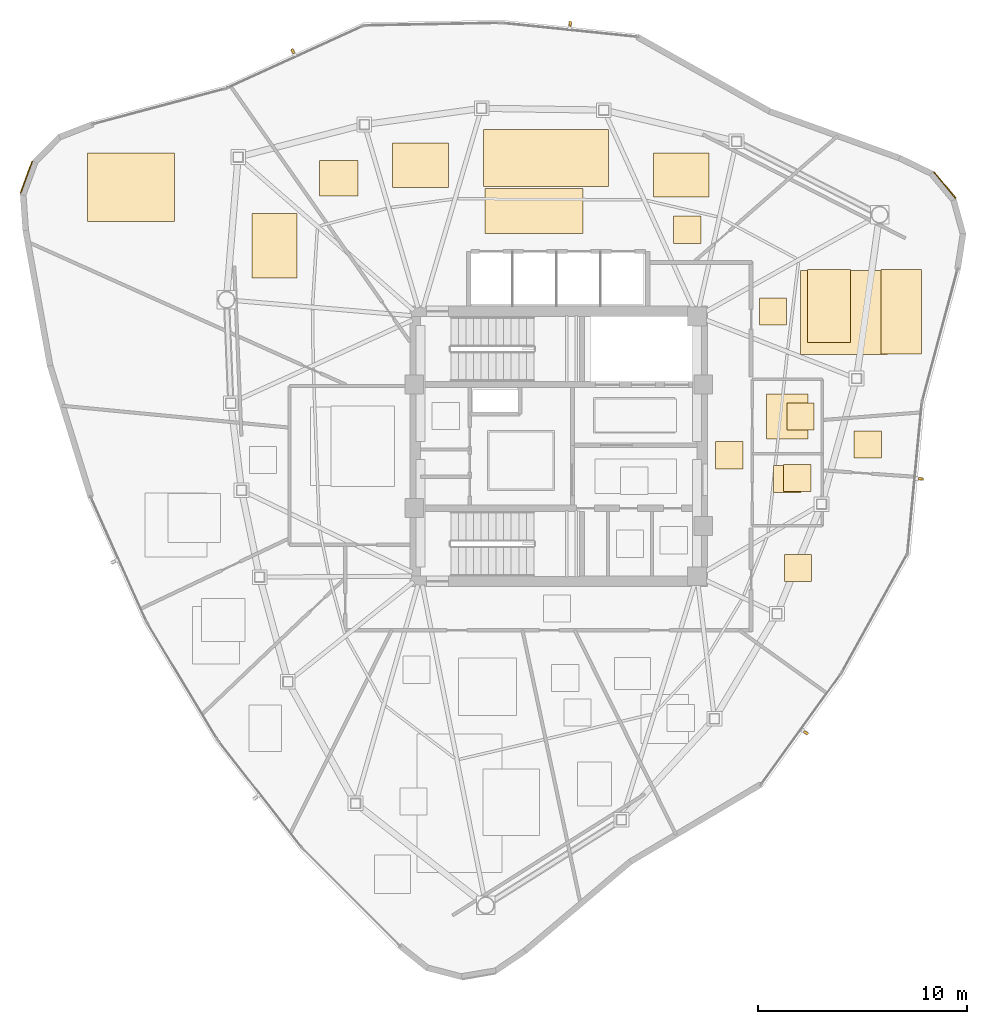
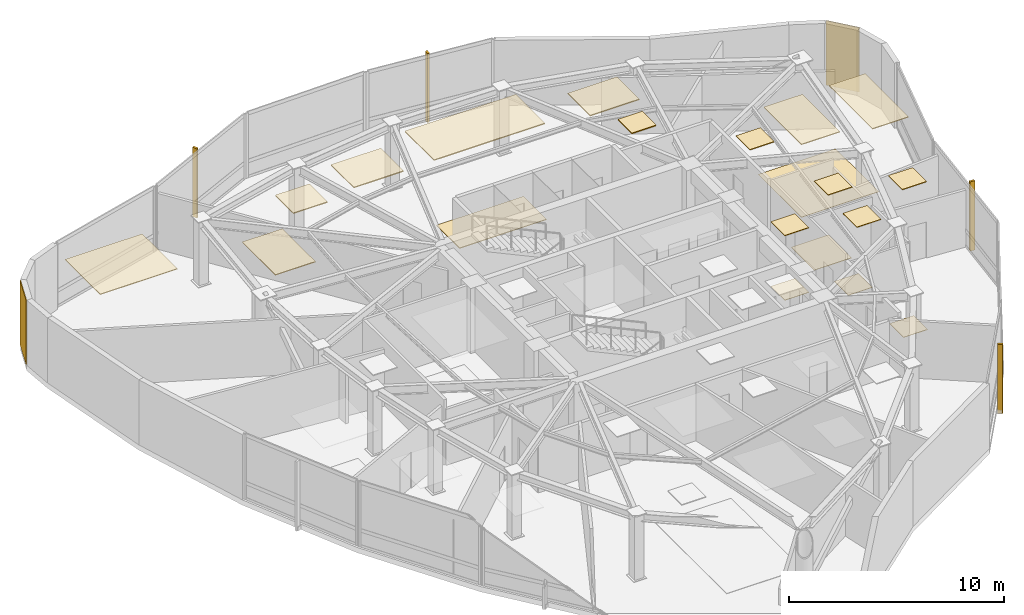
# One storey, part 12 of 12: 22 coverings, 4 shading devices.
"""IFC4 building model written with IfcOpenShell, lengths in metres."""

from ifc_helpers import new_model, si_unit, direction, frame, origin, origin_2d, place, context, subcontext, project, spatial, polyline, rectangle, outline, extrude, source, transform, mapped, material, layer, layer_set, type_object, type_shapes, element, save


model = new_model("IFC4")

# Units and contexts
model_context = context("Model", 3, precision=1e-05, world=origin(), true_north=direction((0.0, 1.0)))
body_context = subcontext(model_context, "Body", "Model", "MODEL_VIEW")
ifc_project = project(units=[si_unit("LENGTHUNIT", "METRE"), si_unit("AREAUNIT", "SQUARE_METRE"), si_unit("VOLUMEUNIT", "CUBIC_METRE"), si_unit("PLANEANGLEUNIT", "RADIAN"), si_unit("MASSUNIT", "GRAM", prefix="KILO")], contexts=[model_context])

# Site, building, storey
site_placement = place(None, origin())
site = spatial("IfcSite", under=ifc_project, at=site_placement, CompositionType="ELEMENT")
building_placement = place(site_placement, origin())
building = spatial("IfcBuilding", under=site, at=building_placement, Name="Tavelor Broadcast Tower", CompositionType="ELEMENT")
storey_placement = place(building_placement, frame((0.0, 0.0, 285.5)))
storey = spatial("IfcBuildingStorey", under=building, at=storey_placement, Name="L68", CompositionType="ELEMENT", Elevation=285.5)

# Coverings
ifc_material_1 = material(Name="Copper-Bronze Anodized Aluminium", Category="aluminium")
ifc_layer_1 = layer(ifc_material_1, 0.050048828125)
ifc_layer_set_1 = layer_set([ifc_layer_1], Name="Copper-Bronze Anodized Aluminium")
covering_type_1 = type_object("IfcCoveringType", Name="Champagne-Bronze Corner Pier Metal Cladding 50 mm", PredefinedType="CLADDING", material=ifc_layer_set_1)
covering_1_placement = place(storey_placement, frame((24.5830078125, 57.84423828125, 0.02001953125), z_axis=(0.0, 0.0, 1.0), x_axis=(-0.346117057077, -0.938191335922, 0.0)))
element("IfcCovering", 1, at=covering_1_placement, inside=storey, type_object=covering_type_1, Name="L68 Champagne-Bronze Corner Cladding 03", PredefinedType="CLADDING", context=body_context, shape_type="SweptSolid", body=[
    extrude(rectangle(XDim=1.62939453125, YDim=0.050048828125, at=origin_2d()), origin(), (0.0, 0.0, 1.0), 3.659912109375),
])
covering_2_placement = place(storey_placement, frame((68.431884765625, 57.471923828125, 0.02001953125), z_axis=(0.0, 0.0, 1.0), x_axis=(-0.639439001981, 0.768841832073, 0.0)))
element("IfcCovering", 2, at=covering_2_placement, inside=storey, type_object=covering_type_1, Name="L68 Champagne-Bronze Corner Cladding 23", PredefinedType="CLADDING", context=body_context, shape_type="SweptSolid", body=[
    extrude(rectangle(XDim=1.629150390625, YDim=0.050048828125, at=origin_2d()), origin(), (0.0, 0.0, 1.0), 3.659912109375),
])
ifc_material_2 = material(Name="Architectural Anodized Aluminium", Category="aluminium")
ifc_layer_2 = layer(ifc_material_2, 0.034912109375)
ifc_layer_set_2 = layer_set([ifc_layer_2], Name="Architectural Anodized Aluminium")
covering_type_2 = type_object("IfcCoveringType", Name="Demountable Metal Tile Corridor Ceiling 35 mm", PredefinedType="CEILING", material=ifc_layer_set_2)
covering_3_placement = place(storey_placement, frame((0.0, 0.0, 3.6650390625)))
element("IfcCovering", 3, at=covering_3_placement, inside=storey, type_object=covering_type_2, Name="L68 Suspended Acoustic Ceiling 2604", PredefinedType="CEILING", context=body_context, shape_type="SweptSolid", body=[
    extrude(outline(polyline([(57.489990234375, 43.925048828125), (58.7900390625, 43.925048828125), (58.7900390625, 45.22509765625), (57.489990234375, 45.22509765625), (57.489990234375, 43.925048828125)])), origin(), (0.0, 0.0, 1.0), 0.034912109375),
])
ifc_material_3 = material(Name="Acoustic Nylon Carpet Tile")
ifc_layer_3 = layer(ifc_material_3, 0.02001953125)
ifc_layer_set_3 = layer_set([ifc_layer_3], Name="Acoustic Nylon Carpet Tile")
covering_type_3 = type_object("IfcCoveringType", Name="Heavy-Duty Acoustic Broadcast Carpet Tile 20 mm", PredefinedType="FLOORING", material=ifc_layer_set_3)
covering_4_placement = place(storey_placement, origin())
element("IfcCovering", 4, at=covering_4_placement, inside=storey, type_object=covering_type_3, Name="L68 Broadcast Floor Finish 1012", PredefinedType="FLOORING", context=body_context, shape_type="SweptSolid", body=[
    extrude(outline(polyline([(57.489990234375, 43.925048828125), (58.7900390625, 43.925048828125), (58.7900390625, 45.22509765625), (57.489990234375, 45.22509765625), (57.489990234375, 43.925048828125)])), origin(), (0.0, 0.0, 1.0), 0.02001953125),
])
covering_5_placement = place(storey_placement, origin())
element("IfcCovering", 5, at=covering_5_placement, inside=storey, type_object=covering_type_3, Name="L68 Broadcast Floor Finish 1016", PredefinedType="FLOORING", context=body_context, shape_type="SweptSolid", body=[
    extrude(outline(polyline([(60.771728515625, 38.54248046875), (62.07177734375, 38.54248046875), (62.07177734375, 39.842529296875), (60.771728515625, 39.842529296875), (60.771728515625, 38.54248046875)])), origin(), (0.0, 0.0, 1.0), 0.02001953125),
])
covering_6_placement = place(storey_placement, origin())
element("IfcCovering", 6, at=covering_6_placement, inside=storey, type_object=covering_type_3, Name="L68 Broadcast Floor Finish 1023", PredefinedType="FLOORING", context=body_context, shape_type="SweptSolid", body=[
    extrude(outline(polyline([(61.5302734375, 49.376220703125), (65.69384765625, 49.376220703125), (65.69384765625, 53.39501953125), (61.5302734375, 53.39501953125), (61.5302734375, 49.376220703125)])), origin(), (0.0, 0.0, 1.0), 0.02001953125),
])
ifc_material_4 = material(Name="Acoustic Hardwood Studio Flooring", Category="wood")
ifc_layer_4 = layer(ifc_material_4, 0.034912109375)
ifc_layer_set_4 = layer_set([ifc_layer_4], Name="Acoustic Hardwood Studio Flooring")
covering_type_4 = type_object("IfcCoveringType", Name="Isolated Studio Acoustic Elastomeric Floor Finish 35 mm", PredefinedType="FLOORING", material=ifc_layer_set_4)
covering_7_placement = place(storey_placement, origin())
element("IfcCovering", 7, at=covering_7_placement, inside=storey, type_object=covering_type_4, Name="L68 Broadcast Floor Finish 1022", PredefinedType="FLOORING", context=body_context, shape_type="SweptSolid", body=[
    extrude(outline(polyline([(46.482666015625, 55.151123046875), (51.15673828125, 55.151123046875), (51.15673828125, 57.2998046875), (46.482666015625, 57.2998046875), (46.482666015625, 55.151123046875)])), origin(), (0.0, 0.0, 1.0), 0.034912109375),
])
ifc_material_5 = material(Name="Acoustic Perforated Timber Baffle", Category="wood")
ifc_layer_5 = layer(ifc_material_5, 0.054931640625)
ifc_layer_set_5 = layer_set([ifc_layer_5], Name="Acoustic Perforated Timber Baffle")
covering_type_5 = type_object("IfcCoveringType", Name="Micro-Perforated Acoustic Baffle Studio Ceiling 55 mm", PredefinedType="CEILING", material=ifc_layer_set_5)
covering_8_placement = place(storey_placement, frame((0.0, 0.0, 3.64501953125)))
element("IfcCovering", 8, at=covering_8_placement, inside=storey, type_object=covering_type_5, Name="L68 Suspended Acoustic Ceiling 2624", PredefinedType="CEILING", context=body_context, shape_type="SweptSolid", body=[
    extrude(outline(polyline([(54.51708984375, 56.90771484375), (57.165771484375, 56.90771484375), (57.165771484375, 58.9951171875), (54.51708984375, 58.9951171875), (54.51708984375, 56.90771484375)])), origin(), (0.0, 0.0, 1.0), 0.054931640625),
])
covering_9_placement = place(storey_placement, frame((0.0, 0.0, 3.64501953125)))
element("IfcCovering", 9, at=covering_9_placement, inside=storey, type_object=covering_type_5, Name="L68 Suspended Acoustic Ceiling 2625", PredefinedType="CEILING", context=body_context, shape_type="SweptSolid", body=[
    extrude(outline(polyline([(55.4873046875, 54.688720703125), (56.787353515625, 54.688720703125), (56.787353515625, 55.98876953125), (55.4873046875, 55.98876953125), (55.4873046875, 54.688720703125)])), origin(), (0.0, 0.0, 1.0), 0.054931640625),
])
covering_10_placement = place(storey_placement, frame((0.0, 0.0, 3.64501953125)))
element("IfcCovering", 10, at=covering_10_placement, inside=storey, type_object=covering_type_5, Name="L68 Suspended Acoustic Ceiling 2626", PredefinedType="CEILING", context=body_context, shape_type="SweptSolid", body=[
    extrude(outline(polyline([(38.587158203125, 56.950927734375), (40.4248046875, 56.950927734375), (40.4248046875, 58.6357421875), (38.587158203125, 58.6357421875), (38.587158203125, 56.950927734375)])), origin(), (0.0, 0.0, 1.0), 0.054931640625),
])
covering_11_placement = place(storey_placement, frame((0.0, 0.0, 3.64501953125)))
element("IfcCovering", 11, at=covering_11_placement, inside=storey, type_object=covering_type_5, Name="L68 Suspended Acoustic Ceiling 2627", PredefinedType="CEILING", context=body_context, shape_type="SweptSolid", body=[
    extrude(outline(polyline([(46.41064453125, 57.414794921875), (52.3798828125, 57.414794921875), (52.3798828125, 60.12158203125), (46.41064453125, 60.12158203125), (46.41064453125, 57.414794921875)])), origin(), (0.0, 0.0, 1.0), 0.054931640625),
])
covering_12_placement = place(storey_placement, frame((0.0, 0.0, 3.64501953125)))
element("IfcCovering", 12, at=covering_12_placement, inside=storey, type_object=covering_type_5, Name="L68 Suspended Acoustic Ceiling 2628", PredefinedType="CEILING", context=body_context, shape_type="SweptSolid", body=[
    extrude(outline(polyline([(42.065185546875, 57.3564453125), (44.7392578125, 57.3564453125), (44.7392578125, 59.48046875), (42.065185546875, 59.48046875), (42.065185546875, 57.3564453125)])), origin(), (0.0, 0.0, 1.0), 0.054931640625),
])
ifc_layer_6 = layer(ifc_material_2, 0.030029296875)
ifc_layer_set_6 = layer_set([ifc_layer_6], Name="Architectural Anodized Aluminium")
covering_type_6 = type_object("IfcCoveringType", Name="Moisture-Resistant Washroom Ceiling 30 mm", PredefinedType="CEILING", material=ifc_layer_set_6)
covering_13_placement = place(storey_placement, frame((0.0, 0.0, 3.669921875)))
element("IfcCovering", 13, at=covering_13_placement, inside=storey, type_object=covering_type_6, Name="L68 Suspended Acoustic Ceiling 2607", PredefinedType="CEILING", context=body_context, shape_type="SweptSolid", body=[
    extrude(outline(polyline([(60.73388671875, 42.831787109375), (62.03369140625, 42.831787109375), (62.03369140625, 44.131591796875), (60.73388671875, 44.131591796875), (60.73388671875, 42.831787109375)])), origin(), (0.0, 0.0, 1.0), 0.030029296875),
])
covering_14_placement = place(storey_placement, frame((0.0, 0.0, 3.669921875)))
element("IfcCovering", 14, at=covering_14_placement, inside=storey, type_object=covering_type_6, Name="L68 Suspended Acoustic Ceiling 2608", PredefinedType="CEILING", context=body_context, shape_type="SweptSolid", body=[
    extrude(outline(polyline([(60.8916015625, 45.77490234375), (62.19140625, 45.77490234375), (62.19140625, 47.074951171875), (60.8916015625, 47.074951171875), (60.8916015625, 45.77490234375)])), origin(), (0.0, 0.0, 1.0), 0.030029296875),
])
ifc_material_6 = material(Name="Slip-Resistant Porcelain Tile")
ifc_layer_7 = layer(ifc_material_6, 0.02490234375)
ifc_layer_set_7 = layer_set([ifc_layer_7], Name="Slip-Resistant Porcelain Tile")
covering_type_7 = type_object("IfcCoveringType", Name="Slip-Resistant Porcelain Wet-Area Floor Tile 25 mm", PredefinedType="FLOORING", material=ifc_layer_set_7)
covering_15_placement = place(storey_placement, origin())
element("IfcCovering", 15, at=covering_15_placement, inside=storey, type_object=covering_type_7, Name="L68 Broadcast Floor Finish 1014", PredefinedType="FLOORING", context=body_context, shape_type="SweptSolid", body=[
    extrude(outline(polyline([(60.260009765625, 42.791748046875), (61.56005859375, 42.791748046875), (61.56005859375, 44.091796875), (60.260009765625, 44.091796875), (60.260009765625, 42.791748046875)])), origin(), (0.0, 0.0, 1.0), 0.02490234375),
])
covering_16_placement = place(storey_placement, origin())
element("IfcCovering", 16, at=covering_16_placement, inside=storey, type_object=covering_type_7, Name="L68 Broadcast Floor Finish 1015", PredefinedType="FLOORING", context=body_context, shape_type="SweptSolid", body=[
    extrude(outline(polyline([(59.91064453125, 45.35009765625), (61.909423828125, 45.35009765625), (61.909423828125, 47.5), (59.91064453125, 47.5), (59.91064453125, 45.35009765625)])), origin(), (0.0, 0.0, 1.0), 0.02490234375),
])
ifc_material_7 = material(Name="Acoustic Mineral Fibre Tile")
ifc_layer_8 = layer(ifc_material_7, 0.0400390625)
ifc_layer_set_8 = layer_set([ifc_layer_8], Name="Acoustic Mineral Fibre Tile")
covering_type_8 = type_object("IfcCoveringType", Name="Suspended Acoustic Mineral-Fibre Office Ceiling 40 mm", PredefinedType="CEILING", material=ifc_layer_set_8)
covering_17_placement = place(storey_placement, frame((0.0, 0.0, 3.659912109375)))
element("IfcCovering", 17, at=covering_17_placement, inside=storey, type_object=covering_type_8, Name="L68 Suspended Acoustic Ceiling 2622", PredefinedType="CEILING", context=body_context, shape_type="SweptSolid", body=[
    extrude(outline(polyline([(27.4951171875, 55.74169921875), (31.643310546875, 55.74169921875), (31.643310546875, 59.010009765625), (27.4951171875, 59.010009765625), (27.4951171875, 55.74169921875)])), origin(), (0.0, 0.0, 1.0), 0.0400390625),
])
covering_18_placement = place(storey_placement, frame((0.0, 0.0, 3.659912109375)))
element("IfcCovering", 18, at=covering_18_placement, inside=storey, type_object=covering_type_8, Name="L68 Suspended Acoustic Ceiling 2623", PredefinedType="CEILING", context=body_context, shape_type="SweptSolid", body=[
    extrude(outline(polyline([(35.348876953125, 53.025634765625), (37.5078125, 53.025634765625), (37.5078125, 56.111572265625), (35.348876953125, 56.111572265625), (35.348876953125, 53.025634765625)])), origin(), (0.0, 0.0, 1.0), 0.0400390625),
])
covering_19_placement = place(storey_placement, frame((0.0, 0.0, 3.659912109375)))
element("IfcCovering", 19, at=covering_19_placement, inside=storey, type_object=covering_type_8, Name="L68 Suspended Acoustic Ceiling 2629", PredefinedType="CEILING", context=body_context, shape_type="SweptSolid", body=[
    extrude(outline(polyline([(61.864501953125, 49.95068359375), (63.933837890625, 49.95068359375), (63.933837890625, 53.45166015625), (61.864501953125, 53.45166015625), (61.864501953125, 49.95068359375)])), origin(), (0.0, 0.0, 1.0), 0.0400390625),
])
covering_20_placement = place(storey_placement, frame((0.0, 0.0, 3.659912109375)))
element("IfcCovering", 20, at=covering_20_placement, inside=storey, type_object=covering_type_8, Name="L68 Suspended Acoustic Ceiling 2630", PredefinedType="CEILING", context=body_context, shape_type="SweptSolid", body=[
    extrude(outline(polyline([(65.373046875, 49.3974609375), (67.3115234375, 49.3974609375), (67.3115234375, 53.447998046875), (65.373046875, 53.447998046875), (65.373046875, 49.3974609375)])), origin(), (0.0, 0.0, 1.0), 0.0400390625),
])
covering_21_placement = place(storey_placement, frame((0.0, 0.0, 3.659912109375)))
element("IfcCovering", 21, at=covering_21_placement, inside=storey, type_object=covering_type_8, Name="L68 Suspended Acoustic Ceiling 2631", PredefinedType="CEILING", context=body_context, shape_type="SweptSolid", body=[
    extrude(outline(polyline([(59.5791015625, 50.781494140625), (60.879150390625, 50.781494140625), (60.879150390625, 52.081298828125), (59.5791015625, 52.081298828125), (59.5791015625, 50.781494140625)])), origin(), (0.0, 0.0, 1.0), 0.0400390625),
])
covering_22_placement = place(storey_placement, frame((0.0, 0.0, 3.659912109375)))
element("IfcCovering", 22, at=covering_22_placement, inside=storey, type_object=covering_type_8, Name="L68 Suspended Acoustic Ceiling 2632", PredefinedType="CEILING", context=body_context, shape_type="SweptSolid", body=[
    extrude(outline(polyline([(64.10400390625, 44.430908203125), (65.404052734375, 44.430908203125), (65.404052734375, 45.730712890625), (64.10400390625, 45.730712890625), (64.10400390625, 44.430908203125)])), origin(), (0.0, 0.0, 1.0), 0.0400390625),
])

# Shading devices
ifc_material_8 = material(Name="Kiln-Fired Glazed Terracotta", Category="masonry")
shading_device_type = type_object("IfcShadingDeviceType", Name="Extruded Terracotta Baguette Sun-Screen 110x240", PredefinedType="JALOUSIE", material=ifc_material_8)
shared_shape = source(origin(), body_context, "Body", "SweptSolid", [
    extrude(rectangle(XDim=0.110107421875, YDim=0.239990234375, at=origin_2d()), origin(), (0.0, 0.0, 1.0), 3.93994140625),
])
type_shapes(shading_device_type, [shared_shape])
for number, where, z_axis, x_axis, name in (
    (23, (61.801025390625, 31.32421875, -0.260009765625), (0.0, 0.0, 1.0), (0.586089563144, 0.810246273656, 0.0), "L68 Terracotta Baguette Fin 681"),
    (24, (67.28759765625, 43.44482421875, -0.260009765625), (0.0, 0.0, 1.0), (0.094977069084, 0.995479460536, 0.0), "L68 Terracotta Baguette Fin 682"),
    (25, (50.543212890625, 65.175537109375, -0.260009765625), (0.0, 0.0, 1.0), (-0.994756502809, 0.102271697543, 0.0), "L68 Terracotta Baguette Fin 683"),
    (26, (37.302978515625, 63.86669921875, -0.260009765625), (0.0, 0.0, 1.0), (-0.909599036311, -0.415487175664, 0.0), "L68 Terracotta Baguette Fin 684"),
):
    element("IfcShadingDevice", number, at=place(storey_placement, frame(where, z_axis=z_axis, x_axis=x_axis)), inside=storey, type_object=shading_device_type, Name=name, PredefinedType="JALOUSIE", context=body_context, shape_type="MappedRepresentation", body=[
        mapped(shared_shape, transform((0.0, 0.0, 0.0), scale=1.0)),
    ])

save(model, "model.ifc")
